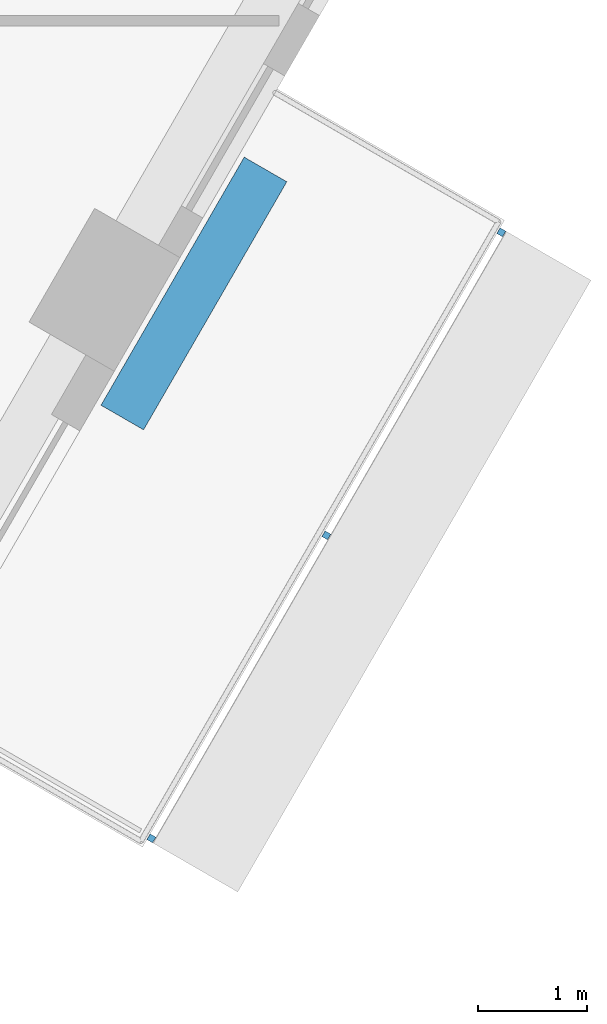
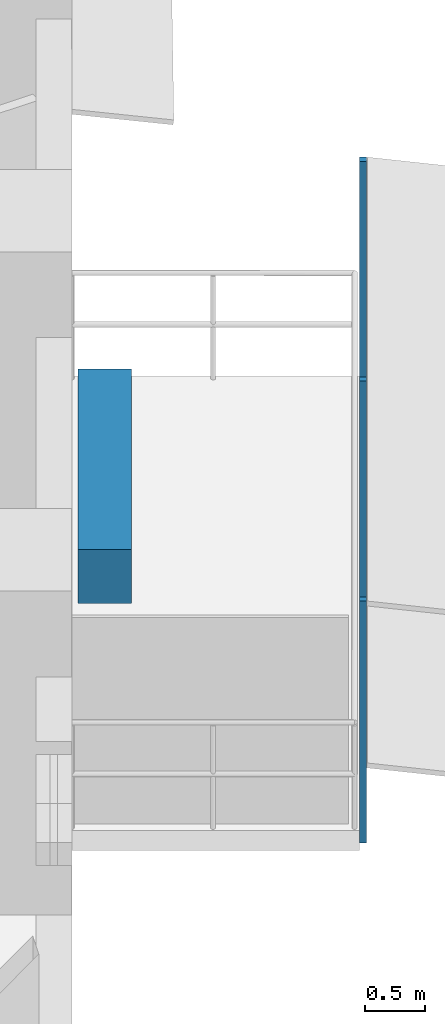
# One storey, part 12 of 17: 4 discrete accessories.
"""IFC4 building model written with IfcOpenShell, lengths in metres."""

from ifc_helpers import new_model, si_unit, direction, frame, origin, origin_2d, place, context, subcontext, project, spatial, rectangle, extrude, material, type_object, element, save


model = new_model("IFC4")

# Units and contexts
model_context = context("Model", 3, precision=1e-05, world=origin(), true_north=direction((0.0, 1.0)))
body_context = subcontext(model_context, "Body", "Model", "MODEL_VIEW")
ifc_project = project(units=[si_unit("LENGTHUNIT", "METRE"), si_unit("AREAUNIT", "SQUARE_METRE"), si_unit("VOLUMEUNIT", "CUBIC_METRE"), si_unit("PLANEANGLEUNIT", "RADIAN"), si_unit("MASSUNIT", "GRAM", prefix="KILO")], contexts=[model_context])

# Site, building, storey
site_placement = place(None, origin())
site = spatial("IfcSite", under=ifc_project, at=site_placement, CompositionType="ELEMENT")
building_placement = place(site_placement, origin())
building = spatial("IfcBuilding", under=site, at=building_placement, Name="Nakaniwa Court", CompositionType="ELEMENT")
storey_placement = place(building_placement, frame((0.0, 0.0, 203.10009765625)))
storey = spatial("IfcBuildingStorey", under=building, at=storey_placement, Name="L53", CompositionType="ELEMENT", Elevation=203.10009765625)

# Discrete accessories
ifc_material_1 = material(Name="Black powder-coated steel bracket S275", Category="steel")
discrete_accessory_type_1 = type_object("IfcDiscreteAccessoryType", Name="Black metal louvre bracket", PredefinedType="BRACKET", material=ifc_material_1)
for number, where, z_axis, x_axis, name in (
    (1, (99.568603515625, 63.734130859375, -0.22998046875), (0.0, 0.0, 1.0), (0.500016626402, 0.866015804314, 0.0), "L53 louvre bracket 03 1"),
    (2, (101.168701171875, 66.505126953125, -0.22998046875), (0.0, 0.0, 1.0), (0.500016626402, 0.866015804314, 0.0), "L53 louvre bracket 03 2"),
    (3, (102.7685546875, 69.27587890625, -0.22998046875), (0.0, 0.0, 1.0), (0.500016626402, 0.866015804314, 0.0), "L53 louvre bracket 03 3"),
):
    element("IfcDiscreteAccessory", number, at=place(storey_placement, frame(where, z_axis=z_axis, x_axis=x_axis)), inside=storey, type_object=discrete_accessory_type_1, Name=name, PredefinedType="BRACKET", context=body_context, shape_type="SweptSolid", body=[
        extrude(rectangle(XDim=0.06005859375, YDim=0.06005859375, at=origin_2d()), origin(), (0.0, 0.0, 1.0), 2.46337890625),
    ])
ifc_material_2 = material(Name="Precast concrete C40/50 planter with planted soil", Category="concrete")
discrete_accessory_type_2 = type_object("IfcDiscreteAccessoryType", Name="Planter box charcoal concrete", PredefinedType="USERDEFINED", material=ifc_material_2)
discrete_accessory_placement = place(storey_placement, frame((99.957275390625, 68.716796875, -0.05029296875), z_axis=(0.0, 0.0, 1.0), x_axis=(0.500016626402, 0.866015804314, 0.0)))
element("IfcDiscreteAccessory", 4, at=discrete_accessory_placement, inside=storey, type_object=discrete_accessory_type_2, Name="L53 balcony PLANTER 03", ObjectType="PLANTER", PredefinedType="USERDEFINED", context=body_context, shape_type="SweptSolid", body=[
    extrude(rectangle(XDim=2.61962890625, YDim=0.449951171875, at=origin_2d()), origin(), (0.0, 0.0, 1.0), 0.550048828125),
])

save(model, "model.ifc")
